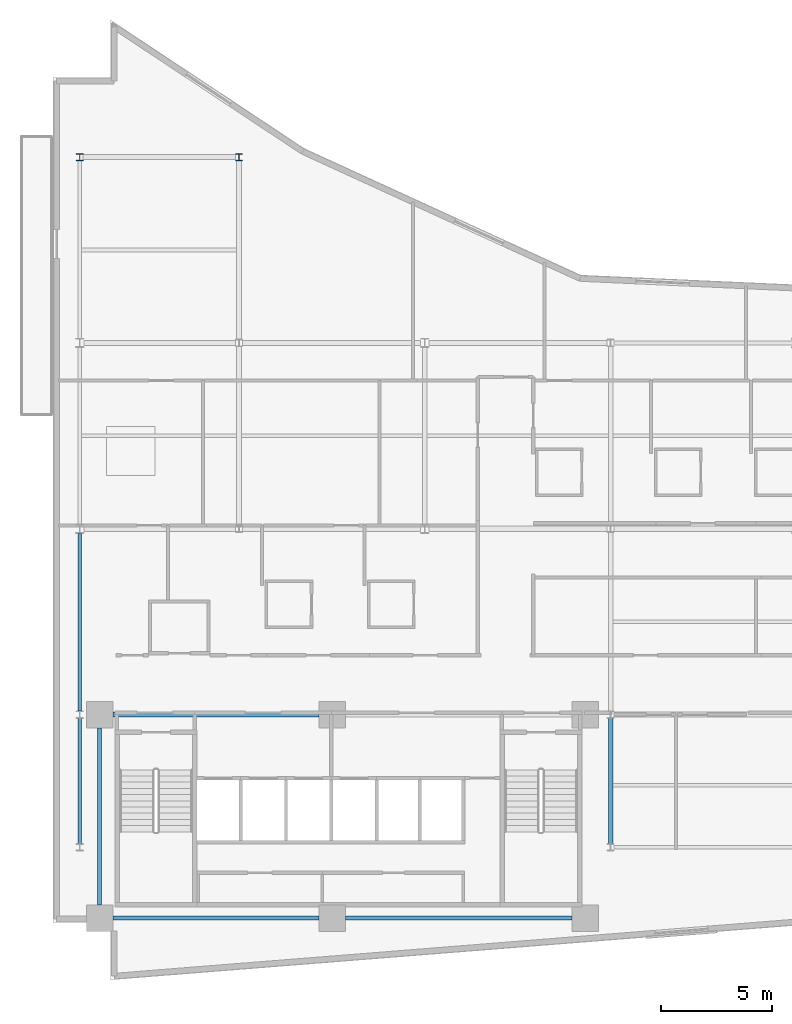
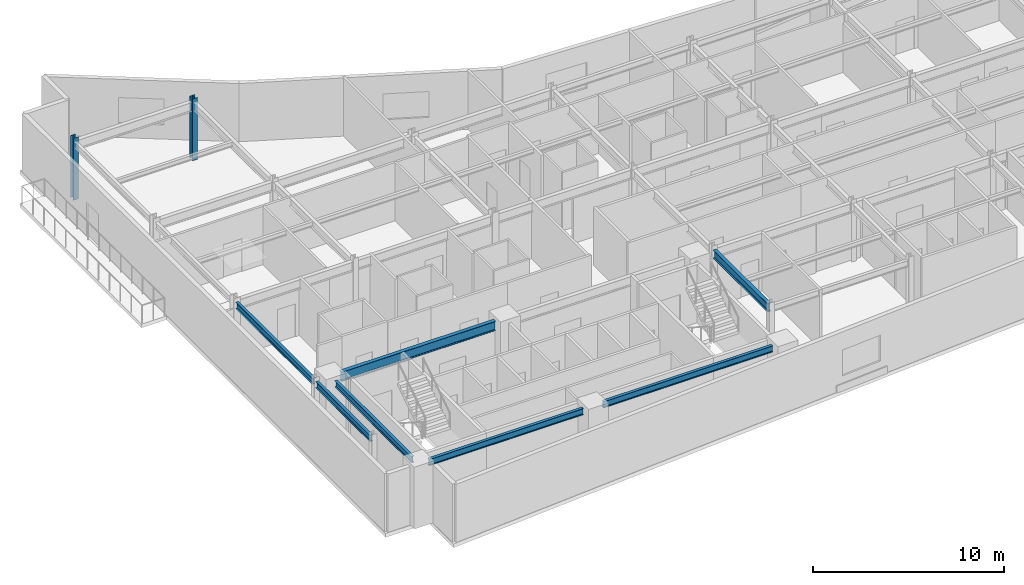
# One storey, part 3 of 19: 7 beams, 2 columns.
"""IFC4 building model written with IfcOpenShell, lengths in metres."""

from ifc_helpers import new_model, si_unit, direction, frame, origin, origin_2d, place, context, subcontext, project, spatial, i_section, extrude, material, material_profile, profile_set, type_object, element, save


model = new_model("IFC4")

# Units and contexts
model_context = context("Model", 3, precision=1e-05, world=origin(), true_north=direction((0.0, 1.0)))
body_context = subcontext(model_context, "Body", "Model", "MODEL_VIEW")
ifc_project = project(units=[si_unit("LENGTHUNIT", "METRE"), si_unit("AREAUNIT", "SQUARE_METRE"), si_unit("VOLUMEUNIT", "CUBIC_METRE"), si_unit("PLANEANGLEUNIT", "RADIAN"), si_unit("MASSUNIT", "GRAM", prefix="KILO")], contexts=[model_context])

# Site, building, storey
site_placement = place(None, origin())
site = spatial("IfcSite", under=ifc_project, at=site_placement, CompositionType="ELEMENT")
building_placement = place(site_placement, origin())
building = spatial("IfcBuilding", under=site, at=building_placement, Name="Varnakote Quay Hospital", CompositionType="ELEMENT")
storey_placement = place(building_placement, frame((0.0, 0.0, 162.60009765625)))
storey = spatial("IfcBuildingStorey", under=building, at=storey_placement, Name="L40", CompositionType="ELEMENT", Elevation=162.60009765625)

# Columns
ifc_material_1 = material(Name="Structural steel AS/NZS 3679.1 Grade 350 L0 (fy 340 MPa)", Category="steel")
ifc_material_profile_1 = material_profile(ifc_material_1, i_section(OverallWidth=0.306884765625, OverallDepth=0.31494140625, WebThickness=0.011962890625, FlangeThickness=0.018798828125, FilletRadius=0.0166015625, at=origin_2d()), Name="310UC118")
ifc_profile_set_1 = profile_set([ifc_material_profile_1], Name="Structural steel AS/NZS 3679.1 Grade 350 L0 (fy 340 MPa)")
column_type = type_object("IfcColumnType", Name="COL-STL-310UC118", PredefinedType="COLUMN", material=ifc_profile_set_1)
for number, where, z_axis, x_axis, name in (
    (1, (1.199951171875, 37.199951171875, 0.0), (0.0, 0.0, 1.0), (1.0, 0.0, 0.0), "L40 Structural Column C-1-37"),
    (2, (8.39990234375, 37.199951171875, 0.0), (0.0, 0.0, 1.0), (1.0, 0.0, 0.0), "L40 Structural Column C-8-37"),
):
    element("IfcColumn", number, at=place(storey_placement, frame(where, z_axis=z_axis, x_axis=x_axis)), inside=storey, type_object=column_type, Name=name, PredefinedType="COLUMN", context=body_context, shape_type="SweptSolid", body=[
        extrude(i_section(OverallWidth=0.306884765625, OverallDepth=0.31494140625, WebThickness=0.011962890625, FlangeThickness=0.018798828125, FilletRadius=0.0166015625, at=origin_2d()), origin(), (0.0, 0.0, 1.0), 3.949951171875),
    ])

# Beams
ifc_material_2 = material(Name="Structural steel AS/NZS 3679.1 Grade 350 L0 (fy 340 MPa)", Category="steel")
ifc_material_profile_2 = material_profile(ifc_material_2, i_section(OverallWidth=0.208984375, OverallDepth=0.532958984375, WebThickness=0.01025390625, FlangeThickness=0.015625, FilletRadius=0.013916015625, at=origin_2d()), Name="530UB92.4")
ifc_profile_set_2 = profile_set([ifc_material_profile_2], Name="Structural steel AS/NZS 3679.1 Grade 350 L0 (fy 340 MPa)")
beam_type_1 = type_object("IfcBeamType", Name="BM-STL-530UB92-4", PredefinedType="BEAM", material=ifc_profile_set_2)
beam_1_placement = place(storey_placement, frame((25.199951171875, 6.157470703125, 3.443359375), z_axis=(0.0, 1.0, 0.0), x_axis=(-1.0, 0.0, 0.0)))
element("IfcBeam", 3, at=beam_1_placement, inside=storey, type_object=beam_type_1, Name="L40 Primary Tie Beam", PredefinedType="BEAM", context=body_context, shape_type="SweptSolid", body=[
    extrude(i_section(OverallWidth=0.208984375, OverallDepth=0.532958984375, WebThickness=0.01025390625, FlangeThickness=0.015625, FilletRadius=0.013916015625, at=origin_2d()), origin(), (0.0, 0.0, 1.0), 5.68505859375),
])
ifc_material_3 = material(Name="Structural steel AS/NZS 3679.1 Grade 350 L0 (fy 340 MPa)", Category="steel")
ifc_material_profile_3 = material_profile(ifc_material_3, i_section(OverallWidth=0.22802734375, OverallDepth=0.60205078125, WebThickness=0.010498046875, FlangeThickness=0.014892578125, FilletRadius=0.013916015625, at=origin_2d()), Name="610UB101")
ifc_profile_set_3 = profile_set([ifc_material_profile_3], Name="Structural steel AS/NZS 3679.1 Grade 350 L0 (fy 340 MPa)")
beam_type_2 = type_object("IfcBeamType", Name="BM-STL-610UB101", PredefinedType="BEAM", material=ifc_profile_set_3)
beam_2_placement = place(storey_placement, frame((2.699951171875, 12.0, 3.408935546875), z_axis=(1.0, 0.0, 0.0), x_axis=(0.0, 1.0, 0.0)))
element("IfcBeam", 4, at=beam_2_placement, inside=storey, type_object=beam_type_2, Name="L40 Primary Floor Beam", PredefinedType="BEAM", context=body_context, shape_type="SweptSolid", body=[
    extrude(i_section(OverallWidth=0.22802734375, OverallDepth=0.60205078125, WebThickness=0.010498046875, FlangeThickness=0.014892578125, FilletRadius=0.013916015625, at=origin_2d()), origin(), (0.0, 0.0, 1.0), 9.320068359375),
])
ifc_material_4 = material(Name="Structural steel AS/NZS 3679.1 Grade 350 L0 (fy 340 MPa)", Category="steel")
ifc_material_profile_4 = material_profile(ifc_material_4, i_section(OverallWidth=0.177978515625, OverallDepth=0.403076171875, WebThickness=0.007568359375, FlangeThickness=0.010986328125, FilletRadius=0.011474609375, at=origin_2d()), Name="410UB53.7")
ifc_profile_set_4 = profile_set([ifc_material_profile_4], Name="Structural steel AS/NZS 3679.1 Grade 350 L0 (fy 340 MPa)")
beam_type_3 = type_object("IfcBeamType", Name="SPN-STL-410UB53-7", PredefinedType="SPANDREL", material=ifc_profile_set_4)
beam_3_placement = place(storey_placement, frame((1.199951171875, 6.157470703125, 3.50830078125), z_axis=(0.0, 1.0, 0.0), x_axis=(-1.0, 0.0, 0.0)))
element("IfcBeam", 5, at=beam_3_placement, inside=storey, type_object=beam_type_3, Name="L40 Perimeter Spandrel Beam", PredefinedType="SPANDREL", context=body_context, shape_type="SweptSolid", body=[
    extrude(i_section(OverallWidth=0.177978515625, OverallDepth=0.403076171875, WebThickness=0.007568359375, FlangeThickness=0.010986328125, FilletRadius=0.011474609375, at=origin_2d()), origin(), (0.0, 0.0, 1.0), 5.68505859375),
])
beam_4_placement = place(storey_placement, frame((1.199951171875, 12.157470703125, 3.50830078125), z_axis=(0.0, 1.0, 0.0), x_axis=(-1.0, 0.0, 0.0)))
element("IfcBeam", 6, at=beam_4_placement, inside=storey, type_object=beam_type_3, Name="L40 Perimeter Spandrel Beam", PredefinedType="SPANDREL", context=body_context, shape_type="SweptSolid", body=[
    extrude(i_section(OverallWidth=0.177978515625, OverallDepth=0.403076171875, WebThickness=0.007568359375, FlangeThickness=0.010986328125, FilletRadius=0.011474609375, at=origin_2d()), origin(), (0.0, 0.0, 1.0), 8.032470703125),
])
beam_5_placement = place(storey_placement, frame((2.10009765625, 3.39990234375, 3.50830078125), z_axis=(0.0, 1.0, 0.0), x_axis=(-1.0, 0.0, 0.0)))
element("IfcBeam", 7, at=beam_5_placement, inside=storey, type_object=beam_type_3, Name="L40 Perimeter Spandrel Beam", PredefinedType="SPANDREL", context=body_context, shape_type="SweptSolid", body=[
    extrude(i_section(OverallWidth=0.177978515625, OverallDepth=0.403076171875, WebThickness=0.007568359375, FlangeThickness=0.010986328125, FilletRadius=0.011474609375, at=origin_2d()), origin(), (0.0, 0.0, 1.0), 8.0),
])
ifc_material_5 = material(Name="Structural steel AS/NZS 3679.1 Grade 350 L0 (fy 340 MPa)", Category="steel")
ifc_material_profile_5 = material_profile(ifc_material_5, i_section(OverallWidth=0.177978515625, OverallDepth=0.406005859375, WebThickness=0.0078125, FlangeThickness=0.0126953125, FilletRadius=0.011474609375, at=origin_2d()), Name="410UB59.7")
ifc_profile_set_5 = profile_set([ifc_material_profile_5], Name="Structural steel AS/NZS 3679.1 Grade 350 L0 (fy 340 MPa)")
beam_type_4 = type_object("IfcBeamType", Name="SPN-STL-410UB59-7", PredefinedType="SPANDREL", material=ifc_profile_set_5)
beam_6_placement = place(storey_placement, frame((2.699951171875, 2.800048828125, 3.5068359375), z_axis=(1.0, 0.0, 0.0), x_axis=(0.0, 1.0, 0.0)))
element("IfcBeam", 8, at=beam_6_placement, inside=storey, type_object=beam_type_4, Name="L40 Perimeter Spandrel Beam", PredefinedType="SPANDREL", context=body_context, shape_type="SweptSolid", body=[
    extrude(i_section(OverallWidth=0.177978515625, OverallDepth=0.406005859375, WebThickness=0.0078125, FlangeThickness=0.0126953125, FilletRadius=0.011474609375, at=origin_2d()), origin(), (0.0, 0.0, 1.0), 9.320068359375),
])
beam_7_placement = place(storey_placement, frame((13.219970703125, 2.800048828125, 3.5068359375), z_axis=(1.0, 0.0, 0.0), x_axis=(0.0, 1.0, 0.0)))
element("IfcBeam", 9, at=beam_7_placement, inside=storey, type_object=beam_type_4, Name="L40 Perimeter Spandrel Beam", PredefinedType="SPANDREL", context=body_context, shape_type="SweptSolid", body=[
    extrude(i_section(OverallWidth=0.177978515625, OverallDepth=0.406005859375, WebThickness=0.0078125, FlangeThickness=0.0126953125, FilletRadius=0.011474609375, at=origin_2d()), origin(), (0.0, 0.0, 1.0), 10.22998046875),
])

save(model, "model.ifc")
